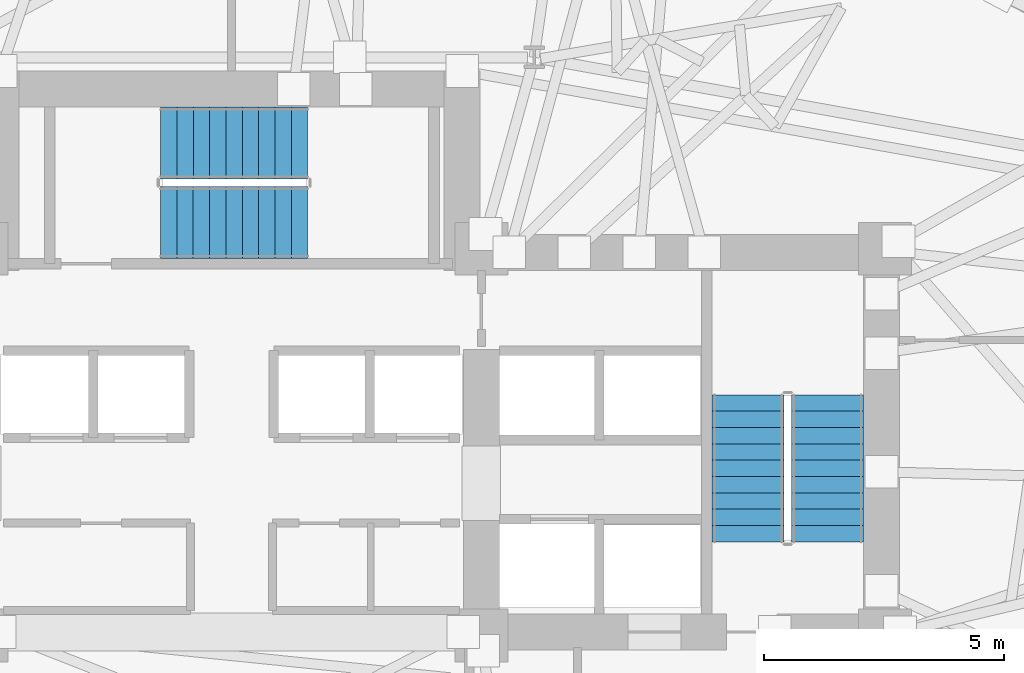
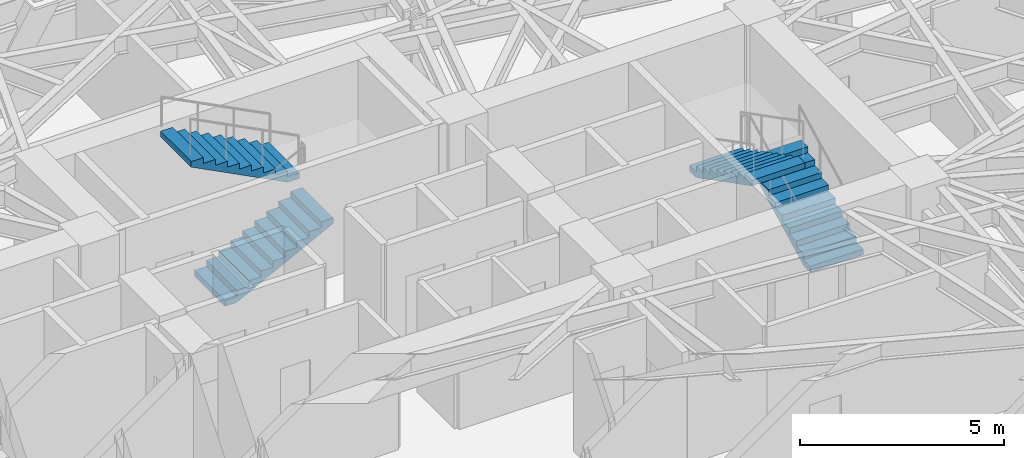
# One storey, part 11 of 15: 4 stair flights, 2 elements without a shape of their own.
"""IFC4 building model written with IfcOpenShell, lengths in metres."""

from ifc_helpers import new_model, si_unit, direction, frame, origin, place, context, subcontext, project, spatial, polyline, outline, extrude, material, type_object, element, aggregate, save


model = new_model("IFC4")

# Units and contexts
model_context = context("Model", 3, precision=1e-05, world=origin(), true_north=direction((0.0, 1.0)))
body_context = subcontext(model_context, "Body", "Model", "MODEL_VIEW")
ifc_project = project(units=[si_unit("LENGTHUNIT", "METRE"), si_unit("AREAUNIT", "SQUARE_METRE"), si_unit("VOLUMEUNIT", "CUBIC_METRE"), si_unit("PLANEANGLEUNIT", "RADIAN"), si_unit("MASSUNIT", "GRAM", prefix="KILO")], contexts=[model_context])

# Site, building, storey
site_placement = place(None, origin())
site = spatial("IfcSite", under=ifc_project, at=site_placement, CompositionType="ELEMENT")
building_placement = place(site_placement, origin())
building = spatial("IfcBuilding", under=site, at=building_placement, Name="Keldmark Tower", CompositionType="ELEMENT")
storey_placement = place(building_placement, frame((0.0, 0.0, 93.10009765625)))
storey = spatial("IfcBuildingStorey", under=building, at=storey_placement, Name="L24", CompositionType="ELEMENT", Elevation=93.10009765625)

# Stair, stair flights
ifc_material_1 = material(Name="Concrete C40/50", Category="concrete")
stair_type = type_object("IfcStairType", Name="Precast Concrete Core Exit Stair", PredefinedType="HALF_TURN_STAIR", material=ifc_material_1)
stair_1_placement = place(storey_placement, origin())
stair_1 = element("IfcStair", 1, at=stair_1_placement, inside=storey, type_object=stair_type, Name="L24 Exit Stair ST2", PredefinedType="HALF_TURN_STAIR")
ifc_material_2 = material(Name="Concrete C40/50", Category="concrete")
stair_flight_type = type_object("IfcStairFlightType", Name="Precast Concrete Stair Flight 1500 mm", PredefinedType="STRAIGHT", material=ifc_material_2)
stair_flight_1_placement = place(storey_placement, frame((12.39990234375, 3.35009765625, 0.0), z_axis=(0.0, 0.0, 1.0), x_axis=(0.0, 1.0, 0.0)))
stair_flight_1 = element("IfcStairFlight", 2, at=stair_flight_1_placement, type_object=stair_flight_type, Name="ST2 flight 1", NumberOfRisers=10, NumberOfTreads=9, PredefinedType="STRAIGHT", RiserHeight=0.175, TreadLength=0.34, context=body_context, shape_type="SweptSolid", body=[
    extrude(outline(polyline([(0.0, 0.0), (0.0, 0.175048828125), (0.340087890625, 0.175048828125), (0.340087890625, 0.35009765625), (0.679931640625, 0.35009765625), (0.679931640625, 0.52490234375), (1.02001953125, 0.52490234375), (1.02001953125, 0.699951171875), (1.360107421875, 0.699951171875), (1.360107421875, 0.875), (1.699951171875, 0.875), (1.699951171875, 1.050048828125), (2.0400390625, 1.050048828125), (2.0400390625, 1.22509765625), (2.3798828125, 1.22509765625), (2.3798828125, 1.39990234375), (2.719970703125, 1.39990234375), (2.719970703125, 1.574951171875), (3.06005859375, 1.574951171875), (3.06005859375, 1.75), (3.06005859375, 1.406494140625), (0.32763671875, 0.0), (0.0, 0.0)])), frame((0.0, 0.75, 0.0), z_axis=(0.0, -1.0, 0.0), x_axis=(1.0, 0.0, 0.0)), (0.0, 0.0, 1.0), 1.5),
])
stair_flight_2_placement = place(storey_placement, frame((10.75, 6.409912109375, 1.75), z_axis=(0.0, 0.0, 1.0), x_axis=(0.0, -1.0, 0.0)))
stair_flight_2 = element("IfcStairFlight", 3, at=stair_flight_2_placement, type_object=stair_flight_type, Name="ST2 flight 2", NumberOfRisers=10, NumberOfTreads=9, PredefinedType="STRAIGHT", RiserHeight=0.175, TreadLength=0.34, context=body_context, shape_type="SweptSolid", body=[
    extrude(outline(polyline([(0.0, 0.0), (0.0, 0.175048828125), (0.340087890625, 0.175048828125), (0.340087890625, 0.35009765625), (0.679931640625, 0.35009765625), (0.679931640625, 0.52490234375), (1.02001953125, 0.52490234375), (1.02001953125, 0.699951171875), (1.360107421875, 0.699951171875), (1.360107421875, 0.875), (1.699951171875, 0.875), (1.699951171875, 1.050048828125), (2.0400390625, 1.050048828125), (2.0400390625, 1.22509765625), (2.3798828125, 1.22509765625), (2.3798828125, 1.39990234375), (2.719970703125, 1.39990234375), (2.719970703125, 1.574951171875), (3.06005859375, 1.574951171875), (3.06005859375, 1.75), (3.06005859375, 1.406494140625), (0.32763671875, 0.0), (0.0, 0.0)])), frame((0.0, 0.75, 0.0), z_axis=(0.0, -1.0, 0.0), x_axis=(1.0, 0.0, 0.0)), (0.0, 0.0, 1.0), 1.5),
])
aggregate(stair_1, [stair_flight_1, stair_flight_2])

stair_2_placement = place(storey_placement, origin())
stair_2 = element("IfcStair", 4, at=stair_2_placement, inside=storey, type_object=stair_type, Name="L24 Exit Stair ST3", PredefinedType="HALF_TURN_STAIR")
stair_flight_3_placement = place(storey_placement, frame((-1.47509765625, 10.0, 0.0), z_axis=(0.0, 0.0, 1.0), x_axis=(1.0, 0.0, 0.0)))
stair_flight_3 = element("IfcStairFlight", 5, at=stair_flight_3_placement, type_object=stair_flight_type, Name="ST3 flight 1", NumberOfRisers=10, NumberOfTreads=9, PredefinedType="STRAIGHT", RiserHeight=0.175, TreadLength=0.34, context=body_context, shape_type="SweptSolid", body=[
    extrude(outline(polyline([(0.0, 0.0), (0.0, 0.175048828125), (0.340087890625, 0.175048828125), (0.340087890625, 0.35009765625), (0.679931640625, 0.35009765625), (0.679931640625, 0.52490234375), (1.02001953125, 0.52490234375), (1.02001953125, 0.699951171875), (1.360107421875, 0.699951171875), (1.360107421875, 0.875), (1.699951171875, 0.875), (1.699951171875, 1.050048828125), (2.0400390625, 1.050048828125), (2.0400390625, 1.22509765625), (2.3798828125, 1.22509765625), (2.3798828125, 1.39990234375), (2.719970703125, 1.39990234375), (2.719970703125, 1.574951171875), (3.06005859375, 1.574951171875), (3.06005859375, 1.75), (3.06005859375, 1.406494140625), (0.32763671875, 0.0), (0.0, 0.0)])), frame((0.0, 0.75, 0.0), z_axis=(0.0, -1.0, 0.0), x_axis=(1.0, 0.0, 0.0)), (0.0, 0.0, 1.0), 1.5),
])
stair_flight_4_placement = place(storey_placement, frame((1.5849609375, 11.64990234375, 1.75), z_axis=(0.0, 0.0, 1.0), x_axis=(-1.0, 0.0, 0.0)))
stair_flight_4 = element("IfcStairFlight", 6, at=stair_flight_4_placement, type_object=stair_flight_type, Name="ST3 flight 2", NumberOfRisers=10, NumberOfTreads=9, PredefinedType="STRAIGHT", RiserHeight=0.175, TreadLength=0.34, context=body_context, shape_type="SweptSolid", body=[
    extrude(outline(polyline([(0.0, 0.0), (0.0, 0.175048828125), (0.340087890625, 0.175048828125), (0.340087890625, 0.35009765625), (0.679931640625, 0.35009765625), (0.679931640625, 0.52490234375), (1.02001953125, 0.52490234375), (1.02001953125, 0.699951171875), (1.360107421875, 0.699951171875), (1.360107421875, 0.875), (1.699951171875, 0.875), (1.699951171875, 1.050048828125), (2.0400390625, 1.050048828125), (2.0400390625, 1.22509765625), (2.3798828125, 1.22509765625), (2.3798828125, 1.39990234375), (2.719970703125, 1.39990234375), (2.719970703125, 1.574951171875), (3.06005859375, 1.574951171875), (3.06005859375, 1.75), (3.06005859375, 1.406494140625), (0.32763671875, 0.0), (0.0, 0.0)])), frame((0.0, 0.75, 0.0), z_axis=(0.0, -1.0, 0.0), x_axis=(1.0, 0.0, 0.0)), (0.0, 0.0, 1.0), 1.5),
])
aggregate(stair_2, [stair_flight_3, stair_flight_4])

save(model, "model.ifc")
